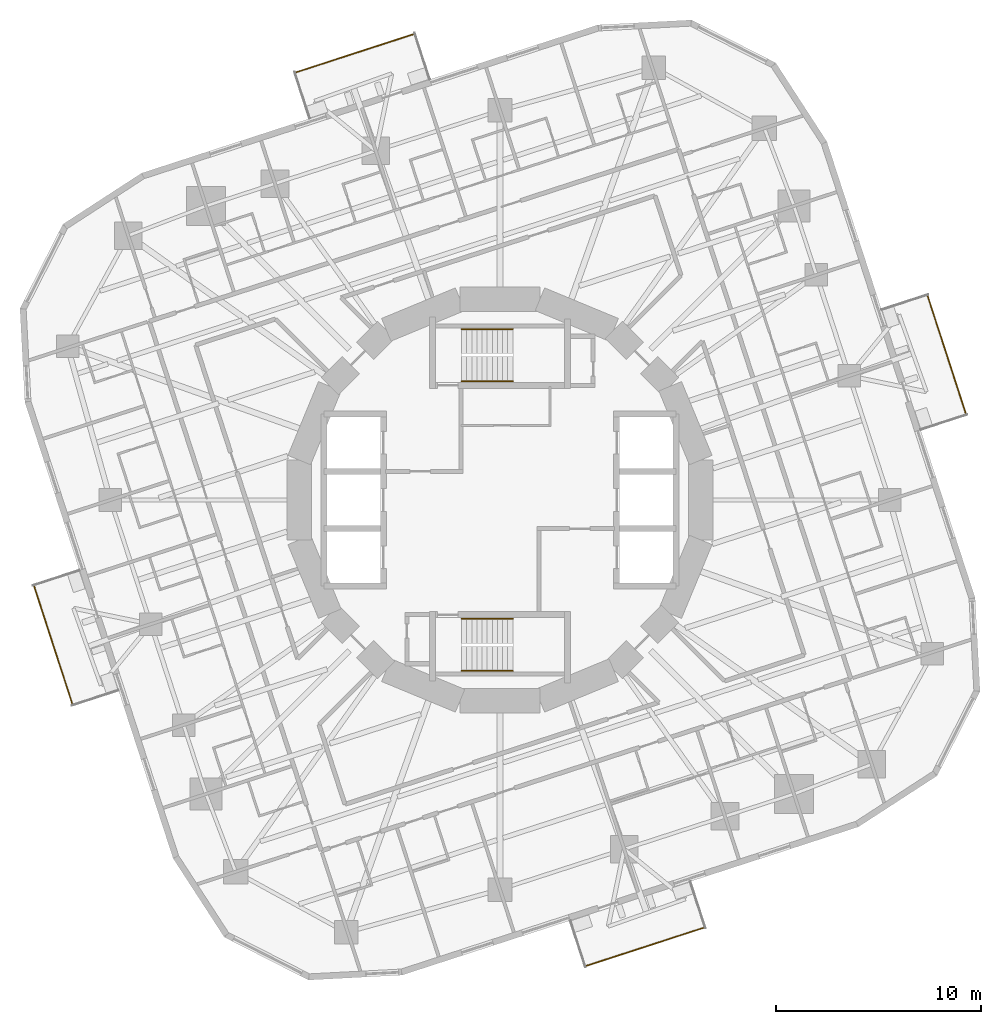
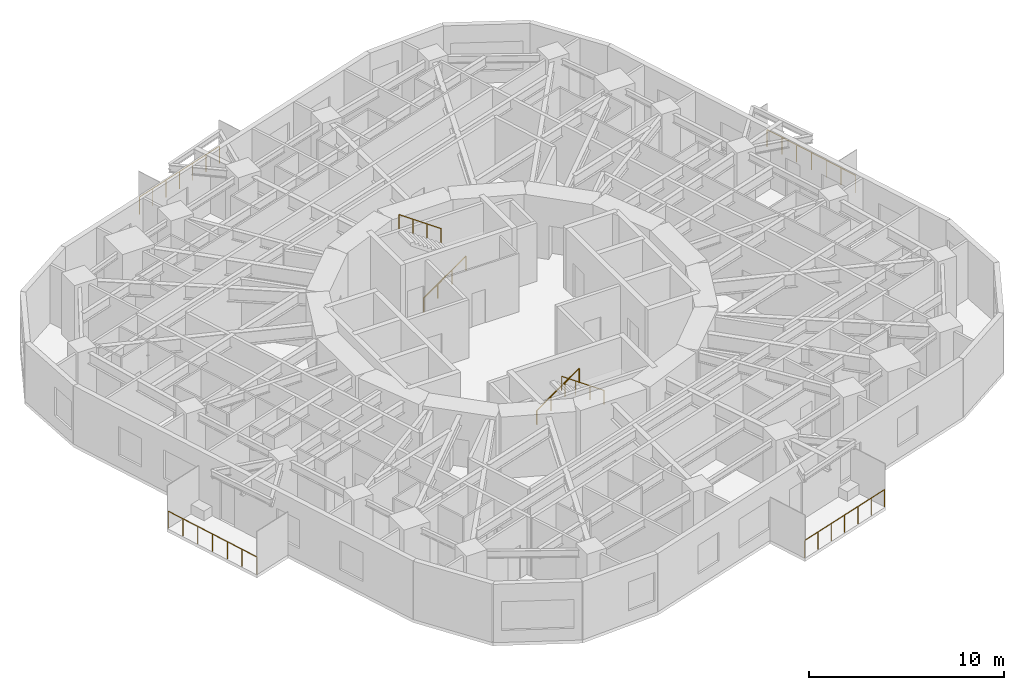
# One storey, part 12 of 13: 8 railings.
"""IFC4 building model written with IfcOpenShell, lengths in metres."""

from ifc_helpers import new_model, si_unit, direction, frame, origin, origin_2d, place, context, subcontext, project, spatial, circle, extrude, material, type_object, element, save


model = new_model("IFC4")

# Units and contexts
model_context = context("Model", 3, precision=1e-05, world=origin(), true_north=direction((0.0, 1.0)))
body_context = subcontext(model_context, "Body", "Model", "MODEL_VIEW")
ifc_project = project(units=[si_unit("LENGTHUNIT", "METRE"), si_unit("AREAUNIT", "SQUARE_METRE"), si_unit("VOLUMEUNIT", "CUBIC_METRE"), si_unit("PLANEANGLEUNIT", "RADIAN"), si_unit("MASSUNIT", "GRAM", prefix="KILO")], contexts=[model_context])

# Site, building, storey
site_placement = place(None, origin())
site = spatial("IfcSite", under=ifc_project, at=site_placement, CompositionType="ELEMENT")
building_placement = place(site_placement, origin())
building = spatial("IfcBuilding", under=site, at=building_placement, Name="Nakasero Lantern House", CompositionType="ELEMENT")
storey_placement = place(building_placement, frame((0.0, 0.0, 164.89990234375)))
storey = spatial("IfcBuildingStorey", under=building, at=storey_placement, Name="L40", CompositionType="ELEMENT", Elevation=164.89990234375)

# Railings
ifc_material_1 = material(Name="Aluminium 6063-T6", Category="aluminium")
railing_type_1 = type_object("IfcRailingType", Name="Balcony guard 1100", PredefinedType="BALUSTRADE", material=ifc_material_1)
railing_1_placement = place(storey_placement, frame((22.7724609375, 4.181640625, 0.0)))
element("IfcRailing", 1, at=railing_1_placement, inside=storey, type_object=railing_type_1, Name="Balcony guard L40 BAL0", PredefinedType="BALUSTRADE", context=body_context, shape_type="SweptSolid", body=[
    extrude(circle(Radius=0.02392578125, at=origin_2d()), frame((0.0, 0.0, 1.076171875), z_axis=(-0.309038265471, 0.951049604634, 0.0), x_axis=(-0.951049604634, -0.309038265471, 0.0)), (0.0, 0.0, 1.0), 6.1201171875),
    extrude(circle(Radius=0.02099609375, at=origin_2d()), origin(), (0.0, 0.0, 1.0), 1.052001953125),
    extrude(circle(Radius=0.02099609375, at=origin_2d()), frame((-0.315185546875, 0.97021484375, 0.0)), (0.0, 0.0, 1.0), 1.052001953125),
    extrude(circle(Radius=0.02099609375, at=origin_2d()), frame((-0.63037109375, 1.940185546875, 0.0)), (0.0, 0.0, 1.0), 1.052001953125),
    extrude(circle(Radius=0.02099609375, at=origin_2d()), frame((-0.94580078125, 2.91015625, 0.0)), (0.0, 0.0, 1.0), 1.052001953125),
    extrude(circle(Radius=0.02099609375, at=origin_2d()), frame((-1.260986328125, 3.88037109375, 0.0)), (0.0, 0.0, 1.0), 1.052001953125),
    extrude(circle(Radius=0.02099609375, at=origin_2d()), frame((-1.576171875, 4.8505859375, 0.0)), (0.0, 0.0, 1.0), 1.052001953125),
    extrude(circle(Radius=0.02099609375, at=origin_2d()), frame((-1.891357421875, 5.820556640625, 0.0)), (0.0, 0.0, 1.0), 1.052001953125),
])
railing_2_placement = place(storey_placement, frame((-4.181640625, 22.7724609375, 0.0)))
element("IfcRailing", 2, at=railing_2_placement, inside=storey, type_object=railing_type_1, Name="Balcony guard L40 BAL1", PredefinedType="BALUSTRADE", context=body_context, shape_type="SweptSolid", body=[
    extrude(circle(Radius=0.02392578125, at=origin_2d()), frame((0.0, 0.0, 1.076171875), z_axis=(-0.951049604634, -0.309038265471, 0.0), x_axis=(0.309038265471, -0.951049604634, 0.0)), (0.0, 0.0, 1.0), 6.1201171875),
    extrude(circle(Radius=0.02099609375, at=origin_2d()), origin(), (0.0, 0.0, 1.0), 1.052001953125),
    extrude(circle(Radius=0.02099609375, at=origin_2d()), frame((-0.97021484375, -0.315185546875, 0.0)), (0.0, 0.0, 1.0), 1.052001953125),
    extrude(circle(Radius=0.02099609375, at=origin_2d()), frame((-1.940185546875, -0.63037109375, 0.0)), (0.0, 0.0, 1.0), 1.052001953125),
    extrude(circle(Radius=0.02099609375, at=origin_2d()), frame((-2.91015625, -0.94580078125, 0.0)), (0.0, 0.0, 1.0), 1.052001953125),
    extrude(circle(Radius=0.02099609375, at=origin_2d()), frame((-3.88037109375, -1.260986328125, 0.0)), (0.0, 0.0, 1.0), 1.052001953125),
    extrude(circle(Radius=0.02099609375, at=origin_2d()), frame((-4.8505859375, -1.576171875, 0.0)), (0.0, 0.0, 1.0), 1.052001953125),
    extrude(circle(Radius=0.02099609375, at=origin_2d()), frame((-5.820556640625, -1.891357421875, 0.0)), (0.0, 0.0, 1.0), 1.052001953125),
])
railing_3_placement = place(storey_placement, frame((-22.7724609375, -4.181640625, 0.0)))
element("IfcRailing", 3, at=railing_3_placement, inside=storey, type_object=railing_type_1, Name="Balcony guard L40 BAL2", PredefinedType="BALUSTRADE", context=body_context, shape_type="SweptSolid", body=[
    extrude(circle(Radius=0.02392578125, at=origin_2d()), frame((0.0, 0.0, 1.076171875), z_axis=(0.309038265471, -0.951049604634, 0.0), x_axis=(0.951049604634, 0.309038265471, 0.0)), (0.0, 0.0, 1.0), 6.1201171875),
    extrude(circle(Radius=0.02099609375, at=origin_2d()), origin(), (0.0, 0.0, 1.0), 1.052001953125),
    extrude(circle(Radius=0.02099609375, at=origin_2d()), frame((0.315185546875, -0.97021484375, 0.0)), (0.0, 0.0, 1.0), 1.052001953125),
    extrude(circle(Radius=0.02099609375, at=origin_2d()), frame((0.63037109375, -1.940185546875, 0.0)), (0.0, 0.0, 1.0), 1.052001953125),
    extrude(circle(Radius=0.02099609375, at=origin_2d()), frame((0.94580078125, -2.91015625, 0.0)), (0.0, 0.0, 1.0), 1.052001953125),
    extrude(circle(Radius=0.02099609375, at=origin_2d()), frame((1.260986328125, -3.88037109375, 0.0)), (0.0, 0.0, 1.0), 1.052001953125),
    extrude(circle(Radius=0.02099609375, at=origin_2d()), frame((1.576171875, -4.8505859375, 0.0)), (0.0, 0.0, 1.0), 1.052001953125),
    extrude(circle(Radius=0.02099609375, at=origin_2d()), frame((1.891357421875, -5.820556640625, 0.0)), (0.0, 0.0, 1.0), 1.052001953125),
])
railing_4_placement = place(storey_placement, frame((4.181640625, -22.7724609375, 0.0)))
element("IfcRailing", 4, at=railing_4_placement, inside=storey, type_object=railing_type_1, Name="Balcony guard L40 BAL3", PredefinedType="BALUSTRADE", context=body_context, shape_type="SweptSolid", body=[
    extrude(circle(Radius=0.02392578125, at=origin_2d()), frame((0.0, 0.0, 1.076171875), z_axis=(0.951049604634, 0.309038265471, 0.0), x_axis=(-0.309038265471, 0.951049604634, 0.0)), (0.0, 0.0, 1.0), 6.1201171875),
    extrude(circle(Radius=0.02099609375, at=origin_2d()), origin(), (0.0, 0.0, 1.0), 1.052001953125),
    extrude(circle(Radius=0.02099609375, at=origin_2d()), frame((0.97021484375, 0.315185546875, 0.0)), (0.0, 0.0, 1.0), 1.052001953125),
    extrude(circle(Radius=0.02099609375, at=origin_2d()), frame((1.940185546875, 0.63037109375, 0.0)), (0.0, 0.0, 1.0), 1.052001953125),
    extrude(circle(Radius=0.02099609375, at=origin_2d()), frame((2.91015625, 0.94580078125, 0.0)), (0.0, 0.0, 1.0), 1.052001953125),
    extrude(circle(Radius=0.02099609375, at=origin_2d()), frame((3.88037109375, 1.260986328125, 0.0)), (0.0, 0.0, 1.0), 1.052001953125),
    extrude(circle(Radius=0.02099609375, at=origin_2d()), frame((4.8505859375, 1.576171875, 0.0)), (0.0, 0.0, 1.0), 1.052001953125),
    extrude(circle(Radius=0.02099609375, at=origin_2d()), frame((5.820556640625, 1.891357421875, 0.0)), (0.0, 0.0, 1.0), 1.052001953125),
])
ifc_material_2 = material(Name="Stainless steel 316", Category="steel")
railing_type_2 = type_object("IfcRailingType", Name="Stair handrail 900", PredefinedType="HANDRAIL", material=ifc_material_2)
railing_5_placement = place(storey_placement, frame((-1.875, 5.800048828125, 0.175048828125)))
element("IfcRailing", 5, at=railing_5_placement, inside=storey, type_object=railing_type_2, Name="Handrail ST1 L40 flight 1", PredefinedType="HANDRAIL", context=body_context, shape_type="SweptSolid", body=[
    extrude(circle(Radius=0.02392578125, at=origin_2d()), frame((0.0, 0.0, 0.8759765625), z_axis=(0.819231920519, 0.0, 0.573462344363), x_axis=(0.0, 1.0, 0.0)), (0.0, 0.0, 1.0), 3.0517578125),
    extrude(circle(Radius=0.02099609375, at=origin_2d()), origin(), (0.0, 0.0, 1.0), 0.851806640625),
    extrude(circle(Radius=0.02099609375, at=origin_2d()), frame((0.833251953125, 0.0, 0.583251953125)), (0.0, 0.0, 1.0), 0.851806640625),
    extrude(circle(Radius=0.02099609375, at=origin_2d()), frame((1.666748046875, 0.0, 1.166748046875)), (0.0, 0.0, 1.0), 0.851806640625),
    extrude(circle(Radius=0.02099609375, at=origin_2d()), frame((2.5, 0.0, 1.75)), (0.0, 0.0, 1.0), 0.851806640625),
])
railing_6_placement = place(storey_placement, frame((0.625, 8.35009765625, 2.10009765625)))
element("IfcRailing", 6, at=railing_6_placement, inside=storey, type_object=railing_type_2, Name="Handrail ST1 L40 flight 2", PredefinedType="HANDRAIL", context=body_context, shape_type="SweptSolid", body=[
    extrude(circle(Radius=0.02392578125, at=origin_2d()), frame((0.0, 0.0, 0.8759765625), z_axis=(-0.819231920519, 0.0, 0.573462344363), x_axis=(0.0, -1.0, 0.0)), (0.0, 0.0, 1.0), 3.0517578125),
    extrude(circle(Radius=0.02099609375, at=origin_2d()), origin(), (0.0, 0.0, 1.0), 0.851806640625),
    extrude(circle(Radius=0.02099609375, at=origin_2d()), frame((-0.833251953125, 0.0, 0.583251953125)), (0.0, 0.0, 1.0), 0.851806640625),
    extrude(circle(Radius=0.02099609375, at=origin_2d()), frame((-1.666748046875, 0.0, 1.166748046875)), (0.0, 0.0, 1.0), 0.851806640625),
    extrude(circle(Radius=0.02099609375, at=origin_2d()), frame((-2.5, 0.0, 1.75)), (0.0, 0.0, 1.0), 0.851806640625),
])
railing_7_placement = place(storey_placement, frame((-1.875, -5.800048828125, 0.175048828125)))
element("IfcRailing", 7, at=railing_7_placement, inside=storey, type_object=railing_type_2, Name="Handrail ST2 L40 flight 1", PredefinedType="HANDRAIL", context=body_context, shape_type="SweptSolid", body=[
    extrude(circle(Radius=0.02392578125, at=origin_2d()), frame((0.0, 0.0, 0.8759765625), z_axis=(0.819231920519, 0.0, 0.573462344363), x_axis=(0.0, 1.0, 0.0)), (0.0, 0.0, 1.0), 3.0517578125),
    extrude(circle(Radius=0.02099609375, at=origin_2d()), origin(), (0.0, 0.0, 1.0), 0.851806640625),
    extrude(circle(Radius=0.02099609375, at=origin_2d()), frame((0.833251953125, 0.0, 0.583251953125)), (0.0, 0.0, 1.0), 0.851806640625),
    extrude(circle(Radius=0.02099609375, at=origin_2d()), frame((1.666748046875, 0.0, 1.166748046875)), (0.0, 0.0, 1.0), 0.851806640625),
    extrude(circle(Radius=0.02099609375, at=origin_2d()), frame((2.5, 0.0, 1.75)), (0.0, 0.0, 1.0), 0.851806640625),
])
railing_8_placement = place(storey_placement, frame((0.625, -8.35009765625, 2.10009765625)))
element("IfcRailing", 8, at=railing_8_placement, inside=storey, type_object=railing_type_2, Name="Handrail ST2 L40 flight 2", PredefinedType="HANDRAIL", context=body_context, shape_type="SweptSolid", body=[
    extrude(circle(Radius=0.02392578125, at=origin_2d()), frame((0.0, 0.0, 0.8759765625), z_axis=(-0.819231920519, 0.0, 0.573462344363), x_axis=(0.0, -1.0, 0.0)), (0.0, 0.0, 1.0), 3.0517578125),
    extrude(circle(Radius=0.02099609375, at=origin_2d()), origin(), (0.0, 0.0, 1.0), 0.851806640625),
    extrude(circle(Radius=0.02099609375, at=origin_2d()), frame((-0.833251953125, 0.0, 0.583251953125)), (0.0, 0.0, 1.0), 0.851806640625),
    extrude(circle(Radius=0.02099609375, at=origin_2d()), frame((-1.666748046875, 0.0, 1.166748046875)), (0.0, 0.0, 1.0), 0.851806640625),
    extrude(circle(Radius=0.02099609375, at=origin_2d()), frame((-2.5, 0.0, 1.75)), (0.0, 0.0, 1.0), 0.851806640625),
])

save(model, "model.ifc")
